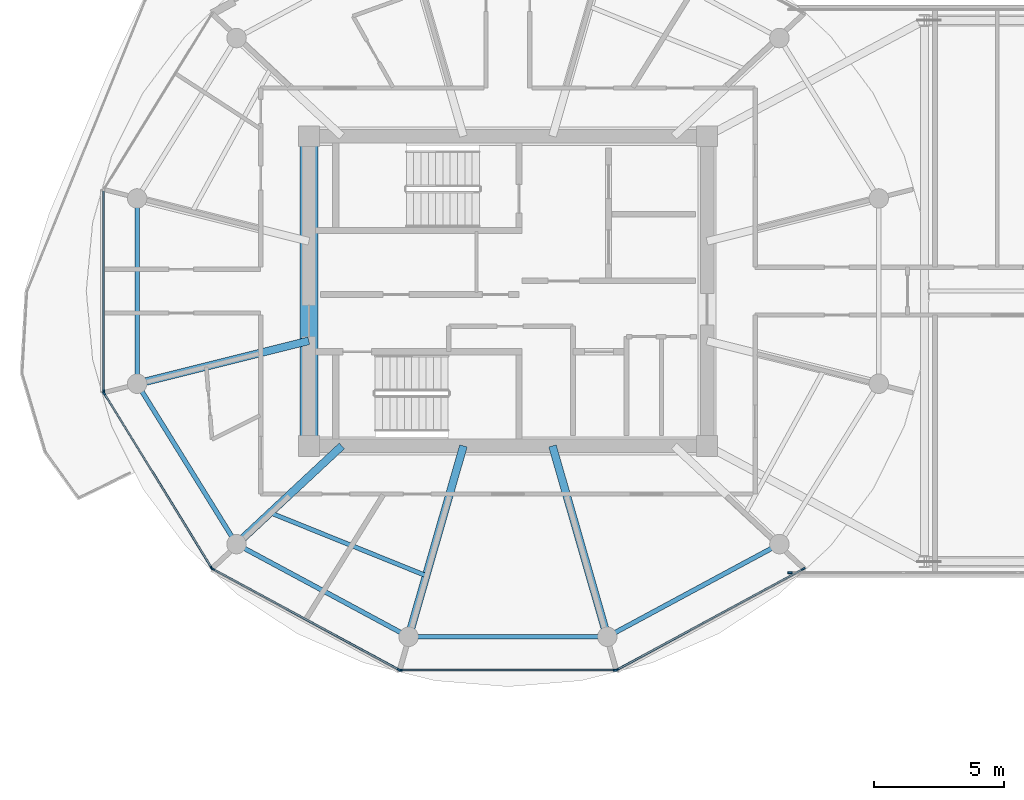
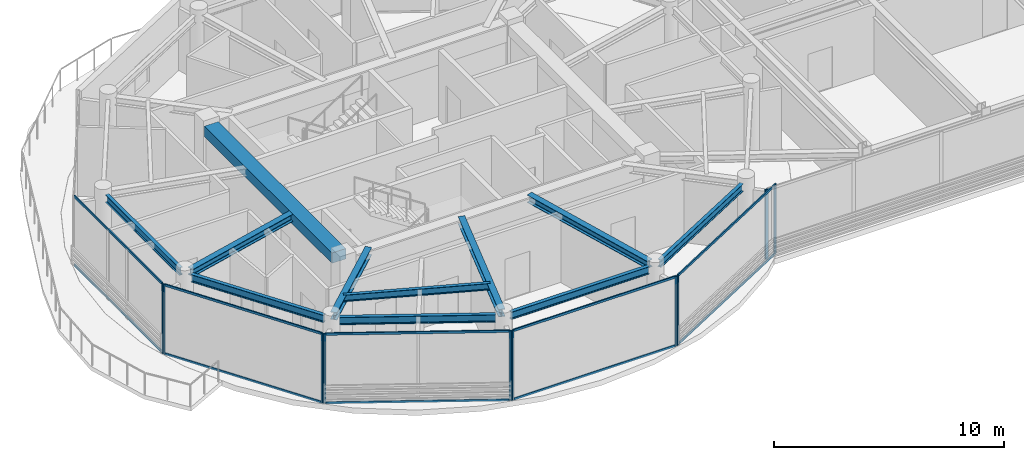
# One storey, part 3 of 24: 20 members, 11 beams, 6 elements without a shape of their own.
"""IFC4 building model written with IfcOpenShell, lengths in metres."""

from ifc_helpers import new_model, si_unit, direction, frame, origin, origin_2d, place, context, subcontext, project, spatial, rectangle, i_section, extrude, source, transform, mapped, material, layer, layer_set, material_profile, profile_set, type_object, type_shapes, element, aggregate, save


model = new_model("IFC4")

# Units and contexts
model_context = context("Model", 3, precision=1e-05, world=origin(), true_north=direction((0.0, 1.0)))
body_context = subcontext(model_context, "Body", "Model", "MODEL_VIEW")
ifc_project = project(units=[si_unit("LENGTHUNIT", "METRE"), si_unit("AREAUNIT", "SQUARE_METRE"), si_unit("VOLUMEUNIT", "CUBIC_METRE"), si_unit("PLANEANGLEUNIT", "RADIAN"), si_unit("MASSUNIT", "GRAM", prefix="KILO")], contexts=[model_context])

# Site, building, storey
site_placement = place(None, origin())
site = spatial("IfcSite", under=ifc_project, at=site_placement, CompositionType="ELEMENT")
building_placement = place(site_placement, origin())
building = spatial("IfcBuilding", under=site, at=building_placement, Name="Norrkilde Senior Care Towers", CompositionType="ELEMENT")
storey_placement = place(building_placement, frame((0.0, 0.0, 203.800048828125)))
storey = spatial("IfcBuildingStorey", under=building, at=storey_placement, Name="L63", CompositionType="ELEMENT", Elevation=203.800048828125)

# Beams
ifc_material_1 = material(Name="Concrete C60/75", Category="concrete")
ifc_material_profile_1 = material_profile(ifc_material_1, rectangle(XDim=0.699951171875, YDim=0.550048828125, at=origin_2d()), Name="RC BM 700x550")
ifc_profile_set_1 = profile_set([ifc_material_profile_1], Name="Concrete C60/75")
beam_type_1 = type_object("IfcBeamType", Name="Core Portal Coupling Beam 700x550", PredefinedType="USERDEFINED", material=ifc_profile_set_1)
shared_shape_1 = source(origin(), body_context, "Body", "SweptSolid", [
    extrude(rectangle(XDim=0.699951171875, YDim=0.550048828125, at=origin_2d()), origin(), (0.0, 0.0, 1.0), 11.14013671875),
])
type_shapes(beam_type_1, [shared_shape_1])
beam_1_placement = place(storey_placement, frame((-35.64990234375, -5.570068359375, 3.43505859375), z_axis=(0.0, 1.0, 0.0), x_axis=(-1.0, 0.0, 0.0)))
element("IfcBeam", 1, at=beam_1_placement, inside=storey, type_object=beam_type_1, Name="L63 Core W W Coupling Girder", ObjectType="GIRDER", PredefinedType="USERDEFINED", context=body_context, shape_type="MappedRepresentation", body=[
    mapped(shared_shape_1, transform((0.0, 0.0, 0.0), x_axis=(1.0, 0.0, 0.0), y_axis=(0.0, 1.0, 0.0), z_axis=(0.0, 0.0, 1.0), scale=1.0)),
])
ifc_material_2 = material(Name="Steel S355", Category="steel")
ifc_material_profile_2 = material_profile(ifc_material_2, i_section(OverallWidth=0.179931640625, OverallDepth=0.39990234375, WebThickness=0.008544921875, FlangeThickness=0.013427734375, FilletRadius=0.02099609375, at=origin_2d()), Name="IPE 400")
ifc_profile_set_2 = profile_set([ifc_material_profile_2], Name="Steel S355")
beam_type_2 = type_object("IfcBeamType", Name="Perimeter Ring Spandrel Z4 IPE400", PredefinedType="SPANDREL", material=ifc_profile_set_2)
shared_shape_2 = source(origin(), body_context, "Body", "SweptSolid", [
    extrude(i_section(OverallWidth=0.179931640625, OverallDepth=0.39990234375, WebThickness=0.008544921875, FlangeThickness=0.013427734375, FilletRadius=0.02099609375, at=origin_2d()), origin(), (0.0, 0.0, 1.0), 6.58056640625),
])
beam_2_placement = place(storey_placement, frame((-42.071044921875, -3.843505859375, 3.510009765625), z_axis=(0.526529583789, -0.850156807533, 0.0), x_axis=(0.850156807533, 0.526529583789, 0.0)))
element("IfcBeam", 2, at=beam_2_placement, inside=storey, type_object=beam_type_2, Name="L63 Drum W Perimeter Spandrel 07", PredefinedType="SPANDREL", context=body_context, shape_type="MappedRepresentation", body=[
    mapped(shared_shape_2, transform((0.0, 0.0, 0.0), x_axis=(1.0, 0.0, 0.0), y_axis=(0.0, 1.0, 0.0), z_axis=(0.0, 0.0, 1.0), scale=1.0)),
])
ifc_material_profile_3 = material_profile(ifc_material_2, i_section(OverallWidth=0.300048828125, OverallDepth=0.39990234375, WebThickness=0.013427734375, FlangeThickness=0.02392578125, FilletRadius=0.027099609375, at=origin_2d()), Name="HEB 400")
ifc_profile_set_3 = profile_set([ifc_material_profile_3], Name="Steel S355")
beam_type_3 = type_object("IfcBeamType", Name="Radial Floor Beam Z4 HEB400", PredefinedType="BEAM", material=ifc_profile_set_3)
shared_shape_3 = source(origin(), body_context, "Body", "SweptSolid", [
    extrude(i_section(OverallWidth=0.300048828125, OverallDepth=0.39990234375, WebThickness=0.013427734375, FlangeThickness=0.02392578125, FilletRadius=0.027099609375, at=origin_2d()), origin(), (0.0, 0.0, 1.0), 6.465087890625),
])
beam_3_placement = place(storey_placement, frame((-35.64990234375, -1.910888671875, 3.510009765625), z_axis=(-0.970195788563, -0.242322371758, 0.0), x_axis=(0.242322371758, -0.970195788563, 0.0)))
element("IfcBeam", 3, at=beam_3_placement, inside=storey, type_object=beam_type_3, Name="L63 Drum W Radial Floor Beam 07", PredefinedType="BEAM", context=body_context, shape_type="MappedRepresentation", body=[
    mapped(shared_shape_3, transform((0.0, 0.0, 0.0), x_axis=(1.0, 0.0, 0.0), y_axis=(0.0, 1.0, 0.0), z_axis=(0.0, 0.0, 1.0), scale=1.0)),
])
shared_shape_4 = source(origin(), body_context, "Body", "SweptSolid", [
    extrude(i_section(OverallWidth=0.179931640625, OverallDepth=0.39990234375, WebThickness=0.008544921875, FlangeThickness=0.013427734375, FilletRadius=0.02099609375, at=origin_2d()), origin(), (0.0, 0.0, 1.0), 6.839111328125),
])
for number, where, z_axis, x_axis, name in (
    (4, (-38.134765625, -9.881591796875, 3.510009765625), (0.880563930732, -0.473927382511, 0.0), (0.473927382511, 0.880563930732, 0.0), "L63 Drum W Perimeter Spandrel 08"),
    (5, (-23.887451171875, -13.122802734375, 3.510009765625), (0.880563930732, 0.473927382511, 0.0), (-0.473927382511, 0.880563930732, 0.0), "L63 Drum W Perimeter Spandrel 10"),
):
    element("IfcBeam", number, at=place(storey_placement, frame(where, z_axis=z_axis, x_axis=x_axis)), inside=storey, type_object=beam_type_2, Name=name, PredefinedType="SPANDREL", context=body_context, shape_type="MappedRepresentation", body=[
        mapped(shared_shape_4, transform((0.0, 0.0, 0.0), x_axis=(1.0, 0.0, 0.0), y_axis=(0.0, 1.0, 0.0), z_axis=(0.0, 0.0, 1.0), scale=1.0)),
    ])
shared_shape_5 = source(origin(), body_context, "Body", "SweptSolid", [
    extrude(i_section(OverallWidth=0.300048828125, OverallDepth=0.39990234375, WebThickness=0.013427734375, FlangeThickness=0.02392578125, FilletRadius=0.027099609375, at=origin_2d()), origin(), (0.0, 0.0, 1.0), 5.197998046875),
])
beam_4_placement = place(storey_placement, frame((-34.3828125, -5.949951171875, 3.510009765625), z_axis=(-0.731448749334, -0.681896419625, 0.0), x_axis=(0.681896419625, -0.731448749334, 0.0)))
element("IfcBeam", 6, at=beam_4_placement, inside=storey, type_object=beam_type_3, Name="L63 Drum W Radial Floor Beam 08", PredefinedType="BEAM", context=body_context, shape_type="MappedRepresentation", body=[
    mapped(shared_shape_5, transform((0.0, 0.0, 0.0), x_axis=(1.0, 0.0, 0.0), y_axis=(0.0, 1.0, 0.0), z_axis=(0.0, 0.0, 1.0), scale=1.0)),
])
shared_shape_6 = source(origin(), body_context, "Body", "SweptSolid", [
    extrude(i_section(OverallWidth=0.179931640625, OverallDepth=0.39990234375, WebThickness=0.008544921875, FlangeThickness=0.013427734375, FilletRadius=0.02099609375, at=origin_2d()), origin(), (0.0, 0.0, 1.0), 6.96533203125),
])
beam_5_placement = place(storey_placement, frame((-31.482666015625, -13.281494140625, 3.510009765625), z_axis=(1.0, 0.0, 0.0), x_axis=(0.0, 1.0, 0.0)))
element("IfcBeam", 7, at=beam_5_placement, inside=storey, type_object=beam_type_2, Name="L63 Drum W Perimeter Spandrel 09", PredefinedType="SPANDREL", context=body_context, shape_type="MappedRepresentation", body=[
    mapped(shared_shape_6, transform((0.0, 0.0, 0.0), x_axis=(1.0, 0.0, 0.0), y_axis=(0.0, 1.0, 0.0), z_axis=(0.0, 0.0, 1.0), scale=1.0)),
])
shared_shape_7 = source(origin(), body_context, "Body", "SweptSolid", [
    extrude(i_section(OverallWidth=0.300048828125, OverallDepth=0.39990234375, WebThickness=0.013427734375, FlangeThickness=0.02392578125, FilletRadius=0.027099609375, at=origin_2d()), origin(), (0.0, 0.0, 1.0), 7.29345703125),
])
type_shapes(beam_type_3, [shared_shape_3, shared_shape_5, shared_shape_7])
for number, where, z_axis, x_axis, name in (
    (8, (-29.710205078125, -5.949951171875, 3.510009765625), (-0.276263751906, -0.961081858836, 0.0), (0.961081858836, -0.276263751906, 0.0), "L63 Drum W Radial Floor Beam 09"),
    (9, (-26.289794921875, -5.949951171875, 3.510009765625), (0.276263751906, -0.961081858836, 0.0), (0.961081858836, 0.276263751906, 0.0), "L63 Drum W Radial Floor Beam 10"),
):
    element("IfcBeam", number, at=place(storey_placement, frame(where, z_axis=z_axis, x_axis=x_axis)), inside=storey, type_object=beam_type_3, Name=name, PredefinedType="BEAM", context=body_context, shape_type="MappedRepresentation", body=[
        mapped(shared_shape_7, transform((0.0, 0.0, 0.0), x_axis=(1.0, 0.0, 0.0), y_axis=(0.0, 1.0, 0.0), z_axis=(0.0, 0.0, 1.0), scale=1.0)),
    ])
shared_shape_8 = source(origin(), body_context, "Body", "SweptSolid", [
    extrude(i_section(OverallWidth=0.179931640625, OverallDepth=0.39990234375, WebThickness=0.008544921875, FlangeThickness=0.013427734375, FilletRadius=0.02099609375, at=origin_2d()), origin(), (0.0, 0.0, 1.0), 6.44775390625),
])
type_shapes(beam_type_2, [shared_shape_2, shared_shape_4, shared_shape_6, shared_shape_8])
beam_6_placement = place(storey_placement, frame((-42.247314453125, 3.223876953125, 3.510009765625), z_axis=(0.0, -1.0, 0.0), x_axis=(1.0, 0.0, 0.0)))
element("IfcBeam", 10, at=beam_6_placement, inside=storey, type_object=beam_type_2, Name="L63 Drum W Perimeter Spandrel 06", PredefinedType="SPANDREL", context=body_context, shape_type="MappedRepresentation", body=[
    mapped(shared_shape_8, transform((0.0, 0.0, 0.0), x_axis=(1.0, 0.0, 0.0), y_axis=(0.0, 1.0, 0.0), z_axis=(0.0, 0.0, 1.0), scale=1.0)),
])
ifc_material_profile_4 = material_profile(ifc_material_2, i_section(OverallWidth=0.169921875, OverallDepth=0.360107421875, WebThickness=0.008056640625, FlangeThickness=0.0126953125, FilletRadius=0.01806640625, at=origin_2d()), Name="IPE 360")
ifc_profile_set_4 = profile_set([ifc_material_profile_4], Name="Steel S355")
beam_type_4 = type_object("IfcBeamType", Name="Secondary Floor Joist IPE360", PredefinedType="JOIST", material=ifc_profile_set_4)
shared_shape_9 = source(origin(), body_context, "Body", "SweptSolid", [
    extrude(i_section(OverallWidth=0.169921875, OverallDepth=0.360107421875, WebThickness=0.008056640625, FlangeThickness=0.0126953125, FilletRadius=0.01806640625, at=origin_2d()), origin(), (0.0, 0.0, 1.0), 6.461669921875),
])
type_shapes(beam_type_4, [shared_shape_9])
beam_7_placement = place(storey_placement, frame((-37.134765625, -8.515380859375, 3.530029296875), z_axis=(0.927225942298, -0.374502405772, 0.0), x_axis=(0.374502405772, 0.927225942298, 0.0)))
element("IfcBeam", 11, at=beam_7_placement, inside=storey, type_object=beam_type_4, Name="L63 Drum W Secondary Floor Joist 3", PredefinedType="JOIST", context=body_context, shape_type="MappedRepresentation", body=[
    mapped(shared_shape_9, transform((0.0, 0.0, 0.0), x_axis=(1.0, 0.0, 0.0), y_axis=(0.0, 1.0, 0.0), z_axis=(0.0, 0.0, 1.0), scale=1.0)),
])

# Curtain wall, members
ifc_material_3 = material(Name="Triple Low-E Insulated Glazing", Category="glass")
ifc_layer_1 = layer(ifc_material_3, 0.18505859375)
ifc_layer_set_1 = layer_set([ifc_layer_1], Name="Triple Low-E Insulated Glazing")
curtain_wall_type_1 = type_object("IfcCurtainWallType", Name="CW6 Zone 4 Crown Pavilion Curtain Wall", PredefinedType="NOTDEFINED", material=ifc_layer_set_1)
curtain_wall_1_placement = place(storey_placement, origin())
curtain_wall_1 = element("IfcCurtainWall", 12, at=curtain_wall_1_placement, inside=storey, type_object=curtain_wall_type_1, Name="L63 Drum W Curtain Wall 06", PredefinedType="NOTDEFINED")
ifc_material_4 = material(Name="Anodised Aluminium", Category="aluminium")
ifc_material_profile_5 = material_profile(ifc_material_4, rectangle(XDim=0.06005859375, YDim=0.1201171875, at=origin_2d()), Name="ALU TRAN 60x120")
ifc_profile_set_5 = profile_set([ifc_material_profile_5], Name="Anodised Aluminium")
member_type_1 = type_object("IfcMemberType", Name="Curtain Wall Transom Typical 60x120", PredefinedType="USERDEFINED", material=ifc_profile_set_5)
shared_shape_10 = source(origin(), body_context, "Body", "SweptSolid", [
    extrude(rectangle(XDim=0.06005859375, YDim=0.1201171875, at=origin_2d()), origin(), (0.0, 0.0, 1.0), 7.808837890625),
])
member_1_placement = place(storey_placement, frame((-39.404296875, -10.60791015625, 0.030029296875), z_axis=(-0.524250924101, 0.851563837055, 0.0), x_axis=(-0.851563837055, -0.524250924101, 0.0)))
member_1 = element("IfcMember", 13, at=member_1_placement, type_object=member_type_1, Name="CW-6 transom 1.1", ObjectType="TRANSOM", PredefinedType="USERDEFINED", context=body_context, shape_type="MappedRepresentation", body=[
    mapped(shared_shape_10, transform((0.0, 0.0, 0.0), x_axis=(1.0, 0.0, 0.0), y_axis=(0.0, 1.0, 0.0), z_axis=(0.0, 0.0, 1.0), scale=1.0)),
])
member_2_placement = place(storey_placement, frame((-39.404296875, -10.60791015625, 3.679931640625), z_axis=(-0.524250924101, 0.851563837055, 0.0), x_axis=(-0.851563837055, -0.524250924101, 0.0)))
member_2 = element("IfcMember", 14, at=member_2_placement, type_object=member_type_1, Name="CW-6 transom 1.2", ObjectType="TRANSOM", PredefinedType="USERDEFINED", context=body_context, shape_type="MappedRepresentation", body=[
    mapped(shared_shape_10, transform((0.0, 0.0, 0.0), x_axis=(1.0, 0.0, 0.0), y_axis=(0.0, 1.0, 0.0), z_axis=(0.0, 0.0, 1.0), scale=1.0)),
])

curtain_wall_2_placement = place(storey_placement, origin())
curtain_wall_2 = element("IfcCurtainWall", 15, at=curtain_wall_2_placement, inside=storey, type_object=curtain_wall_type_1, Name="L63 Drum W Curtain Wall 08", PredefinedType="NOTDEFINED")
shared_shape_11 = source(origin(), body_context, "Body", "SweptSolid", [
    extrude(rectangle(XDim=0.06005859375, YDim=0.1201171875, at=origin_2d()), origin(), (0.0, 0.0, 1.0), 8.19384765625),
])
member_3_placement = place(storey_placement, frame((-23.903076171875, -14.566162109375, 0.030029296875), z_axis=(-1.0, 0.0, 0.0), x_axis=(0.0, -1.0, 0.0)))
member_3 = element("IfcMember", 16, at=member_3_placement, type_object=member_type_1, Name="CW-6 transom 1.1", ObjectType="TRANSOM", PredefinedType="USERDEFINED", context=body_context, shape_type="MappedRepresentation", body=[
    mapped(shared_shape_11, transform((0.0, 0.0, 0.0), x_axis=(1.0, 0.0, 0.0), y_axis=(0.0, 1.0, 0.0), z_axis=(0.0, 0.0, 1.0), scale=1.0)),
])
member_4_placement = place(storey_placement, frame((-23.903076171875, -14.566162109375, 3.679931640625), z_axis=(-1.0, 0.0, 0.0), x_axis=(0.0, -1.0, 0.0)))
member_4 = element("IfcMember", 17, at=member_4_placement, type_object=member_type_1, Name="CW-6 transom 1.2", ObjectType="TRANSOM", PredefinedType="USERDEFINED", context=body_context, shape_type="MappedRepresentation", body=[
    mapped(shared_shape_11, transform((0.0, 0.0, 0.0), x_axis=(1.0, 0.0, 0.0), y_axis=(0.0, 1.0, 0.0), z_axis=(0.0, 0.0, 1.0), scale=1.0)),
])

curtain_wall_3_placement = place(storey_placement, origin())
curtain_wall_3 = element("IfcCurtainWall", 18, at=curtain_wall_3_placement, inside=storey, type_object=curtain_wall_type_1, Name="L63 Drum W Curtain Wall 07", PredefinedType="NOTDEFINED")
shared_shape_12 = source(origin(), body_context, "Body", "SweptSolid", [
    extrude(rectangle(XDim=0.06005859375, YDim=0.1201171875, at=origin_2d()), origin(), (0.0, 0.0, 1.0), 8.0673828125),
])
member_5_placement = place(storey_placement, frame((-32.218994140625, -14.53515625, 0.030029296875), z_axis=(-0.87937750072, 0.476125205411, 0.0), x_axis=(-0.476125205411, -0.87937750072, 0.0)))
member_5 = element("IfcMember", 19, at=member_5_placement, type_object=member_type_1, Name="CW-6 transom 1.1", ObjectType="TRANSOM", PredefinedType="USERDEFINED", context=body_context, shape_type="MappedRepresentation", body=[
    mapped(shared_shape_12, transform((0.0, 0.0, 0.0), x_axis=(1.0, 0.0, 0.0), y_axis=(0.0, 1.0, 0.0), z_axis=(0.0, 0.0, 1.0), scale=1.0)),
])
member_6_placement = place(storey_placement, frame((-32.218994140625, -14.53515625, 3.679931640625), z_axis=(-0.87937750072, 0.476125205411, 0.0), x_axis=(-0.476125205411, -0.87937750072, 0.0)))
member_6 = element("IfcMember", 20, at=member_6_placement, type_object=member_type_1, Name="CW-6 transom 1.2", ObjectType="TRANSOM", PredefinedType="USERDEFINED", context=body_context, shape_type="MappedRepresentation", body=[
    mapped(shared_shape_12, transform((0.0, 0.0, 0.0), x_axis=(1.0, 0.0, 0.0), y_axis=(0.0, 1.0, 0.0), z_axis=(0.0, 0.0, 1.0), scale=1.0)),
])

curtain_wall_4_placement = place(storey_placement, origin())
curtain_wall_4 = element("IfcCurtainWall", 21, at=curtain_wall_4_placement, inside=storey, type_object=curtain_wall_type_1, Name="L63 Drum W Curtain Wall 09", PredefinedType="NOTDEFINED")
member_7_placement = place(storey_placement, frame((-16.686767578125, -10.694091796875, 0.030029296875), z_axis=(-0.87937750072, -0.476125205411, 0.0), x_axis=(0.476125205411, -0.87937750072, 0.0)))
member_7 = element("IfcMember", 22, at=member_7_placement, type_object=member_type_1, Name="CW-6 transom 1.1", ObjectType="TRANSOM", PredefinedType="USERDEFINED", context=body_context, shape_type="MappedRepresentation", body=[
    mapped(shared_shape_12, transform((0.0, 0.0, 0.0), x_axis=(1.0, 0.0, 0.0), y_axis=(0.0, 1.0, 0.0), z_axis=(0.0, 0.0, 1.0), scale=1.0)),
])
member_8_placement = place(storey_placement, frame((-16.686767578125, -10.694091796875, 3.679931640625), z_axis=(-0.87937750072, -0.476125205411, 0.0), x_axis=(0.476125205411, -0.87937750072, 0.0)))
member_8 = element("IfcMember", 23, at=member_8_placement, type_object=member_type_1, Name="CW-6 transom 1.2", ObjectType="TRANSOM", PredefinedType="USERDEFINED", context=body_context, shape_type="MappedRepresentation", body=[
    mapped(shared_shape_12, transform((0.0, 0.0, 0.0), x_axis=(1.0, 0.0, 0.0), y_axis=(0.0, 1.0, 0.0), z_axis=(0.0, 0.0, 1.0), scale=1.0)),
])

curtain_wall_5_placement = place(storey_placement, origin())
curtain_wall_5 = element("IfcCurtainWall", 24, at=curtain_wall_5_placement, inside=storey, type_object=curtain_wall_type_1, Name="L63 Drum W Curtain Wall 05", PredefinedType="NOTDEFINED")
shared_shape_13 = source(origin(), body_context, "Body", "SweptSolid", [
    extrude(rectangle(XDim=0.06005859375, YDim=0.1201171875, at=origin_2d()), origin(), (0.0, 0.0, 1.0), 7.67578125),
])
type_shapes(member_type_1, [shared_shape_10, shared_shape_11, shared_shape_12, shared_shape_13])
member_9_placement = place(storey_placement, frame((-43.531982421875, -3.837890625, 0.030029296875), z_axis=(0.0, 1.0, 0.0), x_axis=(-1.0, 0.0, 0.0)))
member_9 = element("IfcMember", 25, at=member_9_placement, type_object=member_type_1, Name="CW-6 transom 1.1", ObjectType="TRANSOM", PredefinedType="USERDEFINED", context=body_context, shape_type="MappedRepresentation", body=[
    mapped(shared_shape_13, transform((0.0, 0.0, 0.0), x_axis=(1.0, 0.0, 0.0), y_axis=(0.0, 1.0, 0.0), z_axis=(0.0, 0.0, 1.0), scale=1.0)),
])
member_10_placement = place(storey_placement, frame((-43.531982421875, -3.837890625, 3.679931640625), z_axis=(0.0, 1.0, 0.0), x_axis=(-1.0, 0.0, 0.0)))
member_10 = element("IfcMember", 26, at=member_10_placement, type_object=member_type_1, Name="CW-6 transom 1.2", ObjectType="TRANSOM", PredefinedType="USERDEFINED", context=body_context, shape_type="MappedRepresentation", body=[
    mapped(shared_shape_13, transform((0.0, 0.0, 0.0), x_axis=(1.0, 0.0, 0.0), y_axis=(0.0, 1.0, 0.0), z_axis=(0.0, 0.0, 1.0), scale=1.0)),
])
ifc_material_profile_6 = material_profile(ifc_material_4, rectangle(XDim=0.06494140625, YDim=0.14990234375, at=origin_2d()), Name="ALU MULL 65x150")
ifc_profile_set_6 = profile_set([ifc_material_profile_6], Name="Anodised Aluminium")
member_type_2 = type_object("IfcMemberType", Name="Curtain Wall Mullion Z3-Z4 65x150", PredefinedType="MULLION", material=ifc_profile_set_6)
shared_shape_14 = source(origin(), body_context, "Body", "SweptSolid", [
    extrude(rectangle(XDim=0.06494140625, YDim=0.14990234375, at=origin_2d()), origin(), (0.0, 0.0, 1.0), 3.7099609375),
])
type_shapes(member_type_2, [shared_shape_14])
member_11_placement = place(storey_placement, frame((-43.531982421875, -3.87060546875, 0.0), z_axis=(0.0, 0.0, 1.0), x_axis=(-1.0, 0.0, 0.0)))
member_11 = element("IfcMember", 27, at=member_11_placement, type_object=member_type_2, Name="CW-6 mullion 1", PredefinedType="MULLION", context=body_context, shape_type="MappedRepresentation", body=[
    mapped(shared_shape_14, transform((0.0, 0.0, 0.0), x_axis=(1.0, 0.0, 0.0), y_axis=(0.0, 1.0, 0.0), z_axis=(0.0, 0.0, 1.0), scale=1.0)),
])
aggregate(curtain_wall_5, [member_11, member_9, member_10])

# Member
member_12_placement = place(storey_placement, frame((-39.38720703125, -10.635498046875, 0.0), z_axis=(0.0, 0.0, 1.0), x_axis=(-0.851562727283, -0.524252726748, 0.0)))
member_12 = element("IfcMember", 28, at=member_12_placement, type_object=member_type_2, Name="CW-6 mullion 1", PredefinedType="MULLION", context=body_context, shape_type="MappedRepresentation", body=[
    mapped(shared_shape_14, transform((0.0, 0.0, 0.0), x_axis=(1.0, 0.0, 0.0), y_axis=(0.0, 1.0, 0.0), z_axis=(0.0, 0.0, 1.0), scale=1.0)),
])

member_13_placement = place(storey_placement, frame((-43.51513671875, -3.9306640625, 0.0), z_axis=(0.0, 0.0, 1.0), x_axis=(-0.851562727283, -0.524252726748, 0.0)))
member_13 = element("IfcMember", 29, at=member_13_placement, type_object=member_type_2, Name="CW-6 mullion 2", PredefinedType="MULLION", context=body_context, shape_type="MappedRepresentation", body=[
    mapped(shared_shape_14, transform((0.0, 0.0, 0.0), x_axis=(1.0, 0.0, 0.0), y_axis=(0.0, 1.0, 0.0), z_axis=(0.0, 0.0, 1.0), scale=1.0)),
])

aggregate(curtain_wall_1, [member_12, member_13, member_1, member_2])

member_14_placement = place(storey_placement, frame((-32.1904296875, -14.55078125, 0.0), z_axis=(0.0, 0.0, 1.0), x_axis=(-0.476132676136, -0.879373455772, 0.0)))
member_14 = element("IfcMember", 30, at=member_14_placement, type_object=member_type_2, Name="CW-6 mullion 1", PredefinedType="MULLION", context=body_context, shape_type="MappedRepresentation", body=[
    mapped(shared_shape_14, transform((0.0, 0.0, 0.0), x_axis=(1.0, 0.0, 0.0), y_axis=(0.0, 1.0, 0.0), z_axis=(0.0, 0.0, 1.0), scale=1.0)),
])

member_15_placement = place(storey_placement, frame((-39.341796875, -10.6787109375, 0.0), z_axis=(0.0, 0.0, 1.0), x_axis=(-0.476132676136, -0.879373455772, 0.0)))
member_15 = element("IfcMember", 31, at=member_15_placement, type_object=member_type_2, Name="CW-6 mullion 2", PredefinedType="MULLION", context=body_context, shape_type="MappedRepresentation", body=[
    mapped(shared_shape_14, transform((0.0, 0.0, 0.0), x_axis=(1.0, 0.0, 0.0), y_axis=(0.0, 1.0, 0.0), z_axis=(0.0, 0.0, 1.0), scale=1.0)),
])

aggregate(curtain_wall_3, [member_14, member_15, member_5, member_6])

member_16_placement = place(storey_placement, frame((-23.87060546875, -14.566162109375, 0.0), z_axis=(0.0, 0.0, 1.0), x_axis=(0.0, -1.0, 0.0)))
member_16 = element("IfcMember", 32, at=member_16_placement, type_object=member_type_2, Name="CW-6 mullion 1", PredefinedType="MULLION", context=body_context, shape_type="MappedRepresentation", body=[
    mapped(shared_shape_14, transform((0.0, 0.0, 0.0), x_axis=(1.0, 0.0, 0.0), y_axis=(0.0, 1.0, 0.0), z_axis=(0.0, 0.0, 1.0), scale=1.0)),
])

member_17_placement = place(storey_placement, frame((-32.12939453125, -14.566162109375, 0.0), z_axis=(0.0, 0.0, 1.0), x_axis=(0.0, -1.0, 0.0)))
member_17 = element("IfcMember", 33, at=member_17_placement, type_object=member_type_2, Name="CW-6 mullion 2", PredefinedType="MULLION", context=body_context, shape_type="MappedRepresentation", body=[
    mapped(shared_shape_14, transform((0.0, 0.0, 0.0), x_axis=(1.0, 0.0, 0.0), y_axis=(0.0, 1.0, 0.0), z_axis=(0.0, 0.0, 1.0), scale=1.0)),
])

aggregate(curtain_wall_2, [member_16, member_17, member_3, member_4])

member_18_placement = place(storey_placement, frame((-16.658203125, -10.6787109375, 0.0), z_axis=(0.0, 0.0, 1.0), x_axis=(0.476132676136, -0.879373455772, 0.0)))
member_18 = element("IfcMember", 34, at=member_18_placement, type_object=member_type_2, Name="CW-6 mullion 1", PredefinedType="MULLION", context=body_context, shape_type="MappedRepresentation", body=[
    mapped(shared_shape_14, transform((0.0, 0.0, 0.0), x_axis=(1.0, 0.0, 0.0), y_axis=(0.0, 1.0, 0.0), z_axis=(0.0, 0.0, 1.0), scale=1.0)),
])

member_19_placement = place(storey_placement, frame((-23.8095703125, -14.55078125, 0.0), z_axis=(0.0, 0.0, 1.0), x_axis=(0.476132676136, -0.879373455772, 0.0)))
member_19 = element("IfcMember", 35, at=member_19_placement, type_object=member_type_2, Name="CW-6 mullion 2", PredefinedType="MULLION", context=body_context, shape_type="MappedRepresentation", body=[
    mapped(shared_shape_14, transform((0.0, 0.0, 0.0), x_axis=(1.0, 0.0, 0.0), y_axis=(0.0, 1.0, 0.0), z_axis=(0.0, 0.0, 1.0), scale=1.0)),
])

aggregate(curtain_wall_4, [member_18, member_19, member_7, member_8])

# Curtain wall, member
ifc_layer_2 = layer(ifc_material_3, 0.2099609375)
ifc_layer_set_2 = layer_set([ifc_layer_2], Name="Triple Low-E Insulated Glazing")
curtain_wall_type_2 = type_object("IfcCurtainWallType", Name="CW5 Sky-Gate Bridge Curtain Wall", PredefinedType="NOTDEFINED", material=ifc_layer_set_2)
curtain_wall_6_placement = place(storey_placement, origin())
curtain_wall_6 = element("IfcCurtainWall", 36, at=curtain_wall_6_placement, inside=storey, type_object=curtain_wall_type_2, Name="L63 Sky-Gate Bridge South Curtain Wall 3", PredefinedType="NOTDEFINED")
ifc_material_profile_7 = material_profile(ifc_material_4, rectangle(XDim=0.070068359375, YDim=0.169921875, at=origin_2d()), Name="ALU MULL 70x170")
ifc_profile_set_7 = profile_set([ifc_material_profile_7], Name="Anodised Aluminium")
member_type_3 = type_object("IfcMemberType", Name="Curtain Wall Mullion Heavy 70x170", PredefinedType="MULLION", material=ifc_profile_set_7)
shared_shape_15 = source(origin(), body_context, "Body", "SweptSolid", [
    extrude(rectangle(XDim=0.070068359375, YDim=0.169921875, at=origin_2d()), origin(), (0.0, 0.0, 1.0), 3.7099609375),
])
type_shapes(member_type_3, [shared_shape_15])
member_20_placement = place(storey_placement, frame((-17.1650390625, -10.820068359375, 0.0), z_axis=(0.0, 0.0, 1.0), x_axis=(0.0, -1.0, 0.0)))
member_20 = element("IfcMember", 37, at=member_20_placement, type_object=member_type_3, Name="CW-5 mullion 4", PredefinedType="MULLION", context=body_context, shape_type="MappedRepresentation", body=[
    mapped(shared_shape_15, transform((0.0, 0.0, 0.0), x_axis=(1.0, 0.0, 0.0), y_axis=(0.0, 1.0, 0.0), z_axis=(0.0, 0.0, 1.0), scale=1.0)),
])
aggregate(curtain_wall_6, [member_20])

save(model, "model.ifc")
